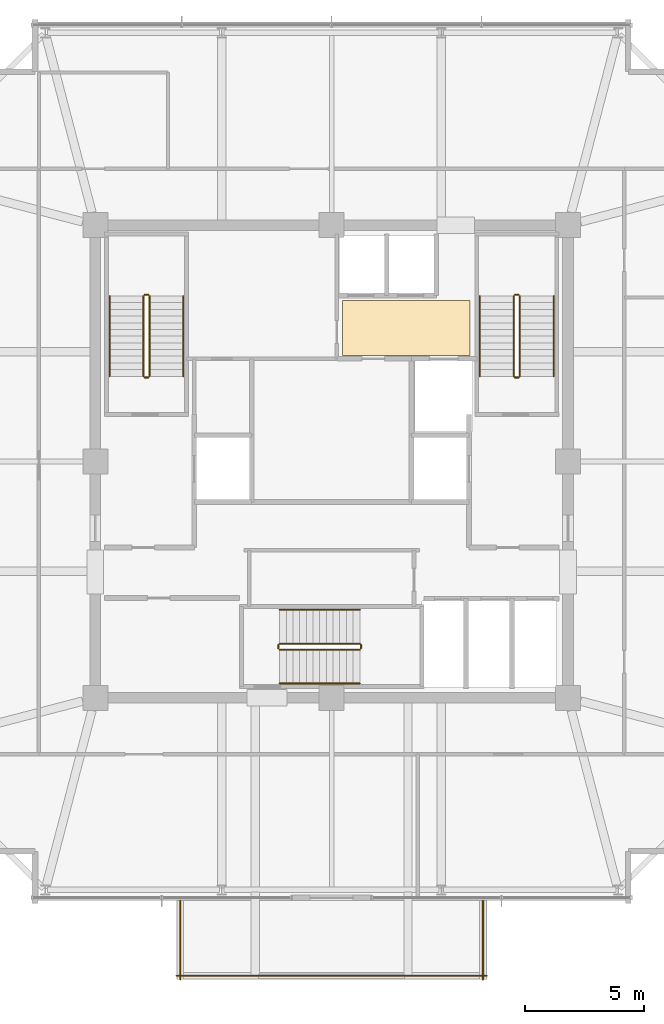
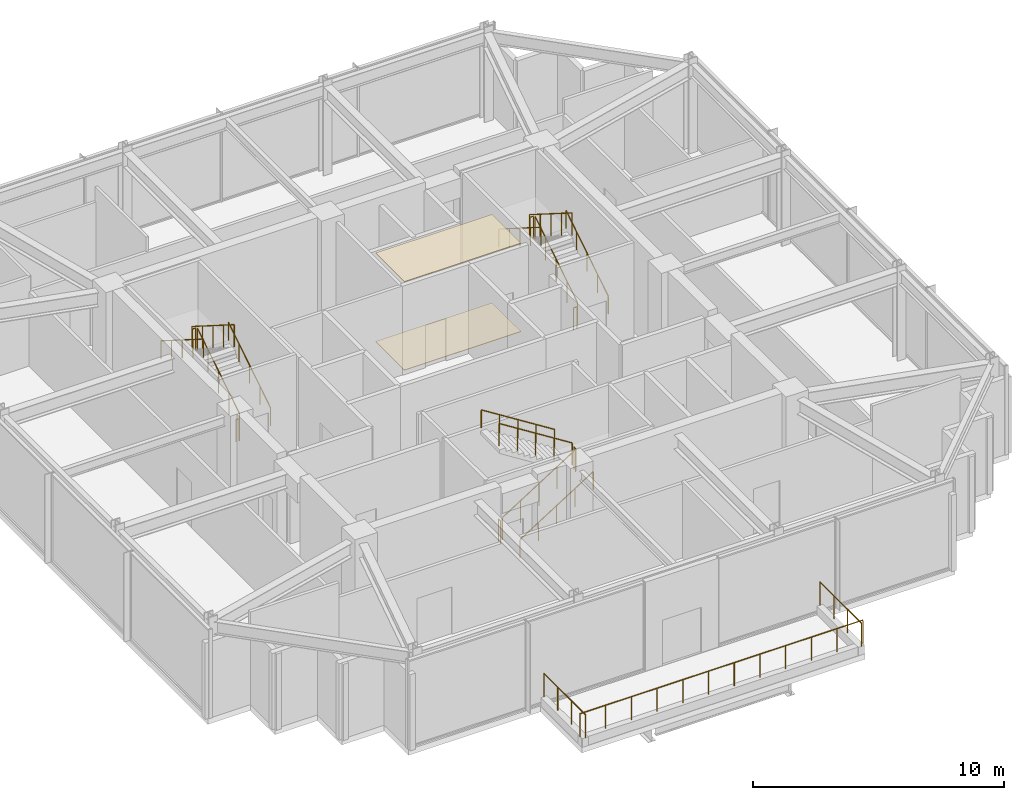
# One storey, part 30 of 30: 21 railings, 2 coverings.
"""IFC4 building model written with IfcOpenShell, lengths in metres."""

import ifcopenshell
import ifcopenshell.guid

model = None  # the IFC model being written
_history = None  # IfcOwnerHistory: only IFC2X3 demands one
_inside = {}  # id of a spatial element -> (the spatial element, [elements in it])
_under = {}  # id of a project, library or spatial element -> (it, [spatial elements below it])
_declared = {}  # id of a project -> (the project, [libraries it declares])
_typed = {}  # id of a type object -> (the type object, [elements of that type])
_made_of = {}  # id of a material, layer set ... -> (it, [elements and type objects made of it])


def new_model(schema):
    """Start an empty IFC model of exactly this schema.

    Asked for "IFC4X3", IfcOpenShell would pick the latest addendum, in which some entities
    have other attributes; the version numbers below select the first issue.
    IFC2X3 requires an IfcOwnerHistory on every rooted entity: one is made here for all.
    """
    global model, _history
    if schema == "IFC4X3":
        model = ifcopenshell.file(schema_version=(4, 3, 0, 0))
    else:
        model = ifcopenshell.file(schema=schema)
    _inside.clear()
    _under.clear()
    _declared.clear()
    _typed.clear()
    _made_of.clear()
    _history = None
    if model.schema == "IFC2X3":
        org = make("IfcOrganization", Name="unknown")
        user = make(
            "IfcPersonAndOrganization",
            ThePerson=make("IfcPerson", FamilyName="unknown"),
            TheOrganization=org,
        )
        app = make(
            "IfcApplication",
            ApplicationDeveloper=org,
            Version="unknown",
            ApplicationFullName="unknown",
            ApplicationIdentifier="unknown",
        )
        _history = make(
            "IfcOwnerHistory",
            OwningUser=user,
            OwningApplication=app,
            ChangeAction="ADDED",
            CreationDate=0,
        )
    return model


def make(cls, **values):
    """One entity of the class cls with the attributes given. An attribute that is None is left unset."""
    return model.create_entity(
        cls, **{name: value for name, value in values.items() if value is not None}
    )


def rooted(cls, **values):
    """An entity with a GlobalId (a new one), such as an element, a storey or a relation."""
    return make(cls, GlobalId=ifcopenshell.guid.new(), OwnerHistory=_history, **values)


def si_unit(unit_type, name, prefix=None):
    """IfcSIUnit, for example si_unit("LENGTHUNIT", "METRE", prefix="MILLI")."""
    return make("IfcSIUnit", UnitType=unit_type, Prefix=prefix, Name=name)


def assignment(units):
    """IfcUnitAssignment: the units of a project."""
    return None if units is None else make("IfcUnitAssignment", Units=units)


def point(xyz):
    """IfcCartesianPoint."""
    return None if xyz is None else make("IfcCartesianPoint", Coordinates=xyz)


def direction(xyz):
    """IfcDirection."""
    return None if xyz is None else make("IfcDirection", DirectionRatios=xyz)


def frame(location, z_axis=None, x_axis=None):
    """IfcAxis2Placement3D, a coordinate frame: its origin and axes. An axis left out is left unset."""
    return make(
        "IfcAxis2Placement3D",
        Location=point(location),
        Axis=direction(z_axis),
        RefDirection=direction(x_axis),
    )


def frame_2d(location, x_axis=None):
    """IfcAxis2Placement2D, a coordinate frame in the plane: its origin and x axis."""
    return make(
        "IfcAxis2Placement2D", Location=point(location), RefDirection=direction(x_axis)
    )


def origin():
    """The frame at (0, 0, 0) with its axes left unset."""
    return frame((0.0, 0.0, 0.0))


def origin_2d():
    """The frame at (0, 0) in the plane with its x axis left unset."""
    return frame_2d((0.0, 0.0))


def place(relative_to, where):
    """IfcLocalPlacement: puts the frame where relative to a parent placement (None: the world)."""
    return make(
        "IfcLocalPlacement", PlacementRelTo=relative_to, RelativePlacement=where
    )


def context(
    kind, dimensions, precision=None, world=None, true_north=None, identifier=None
):
    """IfcGeometricRepresentationContext, for example the 3D "Model" context."""
    return make(
        "IfcGeometricRepresentationContext",
        ContextIdentifier=identifier,
        ContextType=kind,
        CoordinateSpaceDimension=dimensions,
        Precision=precision,
        WorldCoordinateSystem=world,
        TrueNorth=true_north,
    )


def subcontext(parent, identifier, kind, view, scale=None):
    """IfcGeometricRepresentationSubContext, for example "Body" below "Model"."""
    return make(
        "IfcGeometricRepresentationSubContext",
        ContextIdentifier=identifier,
        ContextType=kind,
        ParentContext=parent,
        TargetScale=scale,
        TargetView=view,
    )


def project(units=None, contexts=None):
    """IfcProject with its units and contexts."""
    return rooted(
        "IfcProject",
        Name="project",
        RepresentationContexts=contexts,
        UnitsInContext=assignment(units),
    )


def spatial(cls, under=None, at=None, **own):
    """A site, building, storey or space (cls), placed at a placement, below another one or the project."""
    s = rooted(cls, ObjectPlacement=at, **own)
    if under is not None:
        _under.setdefault(under.id(), (under, []))[1].append(s)
    return s


def polyline(points):
    """IfcPolyline through the points."""
    return make("IfcPolyline", Points=[point(p) for p in points])


def profile(cls, at=None, kind="AREA", **sizes):
    """A parametric profile (cls). Its sizes go by their IFC names, for example OverallWidth=200.0."""
    return make(cls, ProfileType=kind, Position=at, **sizes)


def circle(**sizes):
    """IfcCircleProfileDef."""
    return profile("IfcCircleProfileDef", **sizes)


def outline(outer, holes=None, kind="AREA"):
    """IfcArbitraryClosedProfileDef: a profile drawn as a closed curve; with holes, ...WithVoids."""
    if holes is None:
        return make("IfcArbitraryClosedProfileDef", ProfileType=kind, OuterCurve=outer)
    return make(
        "IfcArbitraryProfileDefWithVoids",
        ProfileType=kind,
        OuterCurve=outer,
        InnerCurves=holes,
    )


def extrude(swept, where, along, depth):
    """IfcExtrudedAreaSolid: the profile swept, set in the frame where, extruded along a direction by depth."""
    return make(
        "IfcExtrudedAreaSolid",
        SweptArea=swept,
        Position=where,
        ExtrudedDirection=direction(along),
        Depth=depth,
    )


def shape(context_of_items, identifier, shape_type, items):
    """IfcShapeRepresentation: the items that make up one representation, for example the "Body"."""
    return make(
        "IfcShapeRepresentation",
        ContextOfItems=context_of_items,
        RepresentationIdentifier=identifier,
        RepresentationType=shape_type,
        Items=items,
    )


def material(Name=None, Category=None):
    """IfcMaterial."""
    return make("IfcMaterial", Name=Name, Category=Category)


def layer(
    of_material, thickness, ventilated=None, Name=None, Category=None, Priority=None
):
    """IfcMaterialLayer: one layer of a wall or slab, of a material (None: an air gap)."""
    return make(
        "IfcMaterialLayer",
        Material=of_material,
        LayerThickness=thickness,
        IsVentilated=ventilated,
        Name=Name,
        Category=Category,
        Priority=Priority,
    )


def layer_set(layers, Name=None):
    """IfcMaterialLayerSet."""
    return make("IfcMaterialLayerSet", MaterialLayers=layers, LayerSetName=Name)


def made_of(thing, what):
    """Note that an element or type object is made of a material, layer set ...; save() writes the relation."""
    if what is not None:
        _made_of.setdefault(what.id(), (what, []))[1].append(thing)
    return thing


def type_object(cls, material=None, **own):
    """A type object (cls), such as IfcWallType, which elements share."""
    return made_of(rooted(cls, **own), material)


def element(
    cls,
    number,
    at=None,
    inside=None,
    cuts=None,
    type_object=None,
    material=None,
    context=None,
    identifier="Body",
    shape_type=None,
    held_by="IfcProductDefinitionShape",
    body=None,
    shapes=None,
    **own,
):
    """One element of the class cls, such as IfcWall. Its Tag is "e" and its number.

    at: its placement. inside: the storey or other place that contains it. cuts: it is an
    opening in that element (IfcRelVoidsElement). A single representation is given by context,
    identifier, shape_type and body (its items); several are given by shapes. held_by: the class
    of the entity that holds the representations. save() writes the other relations.
    """
    e = rooted(cls, Tag="e%d" % number, ObjectPlacement=at, **own)
    if body is not None:
        shapes = [shape(context, identifier, shape_type, body)]
    if shapes is not None:
        e.Representation = make(held_by, Representations=shapes)
    if inside is not None:
        _inside.setdefault(inside.id(), (inside, []))[1].append(e)
    if cuts is not None:
        rooted(
            "IfcRelVoidsElement", RelatingBuildingElement=cuts, RelatedOpeningElement=e
        )
    if type_object is not None:
        _typed.setdefault(type_object.id(), (type_object, []))[1].append(e)
    return made_of(e, material)


def aggregate(whole, parts):
    """IfcRelAggregates: a whole, such as a stair, and the parts it consists of."""
    return rooted("IfcRelAggregates", RelatingObject=whole, RelatedObjects=parts)


def save(model, path):
    """Write the relations noted so far, then the file.

    IfcRelAggregates (storeys below a building ...), IfcRelContainedInSpatialStructure (elements
    in a storey), IfcRelDefinesByType, IfcRelAssociatesMaterial and IfcRelDeclares: one each for
    every whole, place, type object, material and project.
    """
    for whole, parts in _under.values():
        aggregate(whole, parts)
    for where, things in _inside.values():
        rooted(
            "IfcRelContainedInSpatialStructure",
            RelatedElements=things,
            RelatingStructure=where,
        )
    for kind, things in _typed.values():
        rooted("IfcRelDefinesByType", RelatedObjects=things, RelatingType=kind)
    for what, things in _made_of.values():
        rooted("IfcRelAssociatesMaterial", RelatedObjects=things, RelatingMaterial=what)
    for by, libraries in _declared.values():
        rooted("IfcRelDeclares", RelatingContext=by, RelatedDefinitions=libraries)
    model.write(path)


model = new_model("IFC4")

# Units and contexts
model_context = context("Model", 3, precision=1e-05, world=origin(), true_north=direction((0.0, 1.0)))
body_context = subcontext(model_context, "Body", "Model", "MODEL_VIEW")
ifc_project = project(units=[si_unit("LENGTHUNIT", "METRE"), si_unit("AREAUNIT", "SQUARE_METRE"), si_unit("VOLUMEUNIT", "CUBIC_METRE"), si_unit("PLANEANGLEUNIT", "RADIAN"), si_unit("MASSUNIT", "GRAM", prefix="KILO")], contexts=[model_context])

# Site, building, storey
site_placement = place(None, origin())
site = spatial("IfcSite", under=ifc_project, at=site_placement, CompositionType="ELEMENT")
building_placement = place(site_placement, origin())
building = spatial("IfcBuilding", under=site, at=building_placement, Name="Kolvaren Belvedere", CompositionType="ELEMENT")
storey_placement = place(building_placement, frame((0.0, 0.0, 262.800048828125)))
storey = spatial("IfcBuildingStorey", under=building, at=storey_placement, Name="L76", CompositionType="ELEMENT", Elevation=262.800048828125)

# Coverings
ifc_material_1 = material(Name="Acoustic perforated gypsum board", Category="gypsum")
ifc_layer_1 = layer(ifc_material_1, 0.02490234375)
ifc_layer_set_1 = layer_set([ifc_layer_1], Name="Acoustic perforated gypsum board")
covering_type_1 = type_object("IfcCoveringType", Name="COV-CEIL-GYP", PredefinedType="CEILING", material=ifc_layer_set_1)
covering_1_placement = place(storey_placement, frame((0.0, 0.0, 4.294921875)))
element("IfcCovering", 1, at=covering_1_placement, inside=storey, type_object=covering_type_1, Name="L76 Lift Lobby Acoustic Baffle Ceiling", PredefinedType="CEILING", context=body_context, shape_type="SweptSolid", body=[
    extrude(outline(polyline([(0.449951171875, 4.449951171875), (5.800048828125, 4.449951171875), (5.800048828125, 6.75), (0.449951171875, 6.75), (0.449951171875, 4.449951171875)])), origin(), (0.0, 0.0, 1.0), 0.025146484375),
])
ifc_material_2 = material(Name="Honed Cascade basalt stone", Category="masonry")
ifc_layer_2 = layer(ifc_material_2, 0.02490234375)
ifc_layer_set_2 = layer_set([ifc_layer_2], Name="Honed Cascade basalt stone")
covering_type_2 = type_object("IfcCoveringType", Name="COV-FLR-STONE", PredefinedType="FLOORING", material=ifc_layer_set_2)
covering_2_placement = place(storey_placement, origin())
element("IfcCovering", 2, at=covering_2_placement, inside=storey, type_object=covering_type_2, Name="L76 Lift Lobby Finish Flooring", PredefinedType="FLOORING", context=body_context, shape_type="SweptSolid", body=[
    extrude(outline(polyline([(0.449951171875, 4.449951171875), (5.800048828125, 4.449951171875), (5.800048828125, 6.75), (0.449951171875, 6.75), (0.449951171875, 4.449951171875)])), origin(), (0.0, 0.0, 1.0), 0.02490234375),
])

# Railings
ifc_material_3 = material(Name="Anodised pale-metal aluminium & laminated glass guard", Category="aluminium")
railing_type_1 = type_object("IfcRailingType", Name="RL-GUARD-1150", PredefinedType="GUARDRAIL", material=ifc_material_3)
railing_1_placement = place(storey_placement, frame((-6.5, -21.5400390625, 0.39990234375)))
element("IfcRailing", 3, at=railing_1_placement, inside=storey, type_object=railing_type_1, Name="L76 Exterior Deck Safety Guard SKYBAR-S-1", PredefinedType="GUARDRAIL", context=body_context, shape_type="SweptSolid", body=[
    extrude(circle(Radius=0.02392578125, at=origin_2d()), frame((0.0, 0.0, 1.1259765625), z_axis=(1.0, 0.0, 0.0), x_axis=(0.0, 1.0, 0.0)), (0.0, 0.0, 1.0), 13.0),
    extrude(circle(Radius=0.02099609375, at=origin_2d()), origin(), (0.0, 0.0, 1.0), 1.101806640625),
    extrude(circle(Radius=0.02099609375, at=origin_2d()), frame((1.181884765625, 0.0, 0.0)), (0.0, 0.0, 1.0), 1.101806640625),
    extrude(circle(Radius=0.02099609375, at=origin_2d()), frame((2.363525390625, 0.0, 0.0)), (0.0, 0.0, 1.0), 1.101806640625),
    extrude(circle(Radius=0.02099609375, at=origin_2d()), frame((3.54541015625, 0.0, 0.0)), (0.0, 0.0, 1.0), 1.101806640625),
    extrude(circle(Radius=0.02099609375, at=origin_2d()), frame((4.727294921875, 0.0, 0.0)), (0.0, 0.0, 1.0), 1.101806640625),
    extrude(circle(Radius=0.02099609375, at=origin_2d()), frame((5.9091796875, 0.0, 0.0)), (0.0, 0.0, 1.0), 1.101806640625),
    extrude(circle(Radius=0.02099609375, at=origin_2d()), frame((7.0908203125, 0.0, 0.0)), (0.0, 0.0, 1.0), 1.101806640625),
    extrude(circle(Radius=0.02099609375, at=origin_2d()), frame((8.272705078125, 0.0, 0.0)), (0.0, 0.0, 1.0), 1.101806640625),
    extrude(circle(Radius=0.02099609375, at=origin_2d()), frame((9.45458984375, 0.0, 0.0)), (0.0, 0.0, 1.0), 1.101806640625),
    extrude(circle(Radius=0.02099609375, at=origin_2d()), frame((10.636474609375, 0.0, 0.0)), (0.0, 0.0, 1.0), 1.101806640625),
    extrude(circle(Radius=0.02099609375, at=origin_2d()), frame((11.818115234375, 0.0, 0.0)), (0.0, 0.0, 1.0), 1.101806640625),
    extrude(circle(Radius=0.02099609375, at=origin_2d()), frame((13.0, 0.0, 0.0)), (0.0, 0.0, 1.0), 1.101806640625),
])
railing_2_placement = place(storey_placement, frame((6.340087890625, -21.699951171875, 0.39990234375)))
element("IfcRailing", 4, at=railing_2_placement, inside=storey, type_object=railing_type_1, Name="L76 Exterior Deck Safety Guard SKYBAR-S-2", PredefinedType="GUARDRAIL", context=body_context, shape_type="SweptSolid", body=[
    extrude(circle(Radius=0.02392578125, at=origin_2d()), frame((0.0, 0.0, 1.1259765625), z_axis=(0.0, 1.0, 0.0), x_axis=(-1.0, 0.0, 0.0)), (0.0, 0.0, 1.0), 3.300048828125),
    extrude(circle(Radius=0.02099609375, at=origin_2d()), origin(), (0.0, 0.0, 1.0), 1.101806640625),
    extrude(circle(Radius=0.02099609375, at=origin_2d()), frame((0.0, 1.10009765625, 0.0)), (0.0, 0.0, 1.0), 1.101806640625),
    extrude(circle(Radius=0.02099609375, at=origin_2d()), frame((0.0, 2.199951171875, 0.0)), (0.0, 0.0, 1.0), 1.101806640625),
    extrude(circle(Radius=0.02099609375, at=origin_2d()), frame((0.0, 3.300048828125, 0.0)), (0.0, 0.0, 1.0), 1.101806640625),
])
railing_3_placement = place(storey_placement, frame((-6.340087890625, -18.39990234375, 0.39990234375)))
element("IfcRailing", 5, at=railing_3_placement, inside=storey, type_object=railing_type_1, Name="L76 Exterior Deck Safety Guard SKYBAR-S-4", PredefinedType="GUARDRAIL", context=body_context, shape_type="SweptSolid", body=[
    extrude(circle(Radius=0.02392578125, at=origin_2d()), frame((0.0, 0.0, 1.1259765625), z_axis=(0.0, -1.0, 0.0), x_axis=(1.0, 0.0, 0.0)), (0.0, 0.0, 1.0), 3.300048828125),
    extrude(circle(Radius=0.02099609375, at=origin_2d()), origin(), (0.0, 0.0, 1.0), 1.101806640625),
    extrude(circle(Radius=0.02099609375, at=origin_2d()), frame((0.0, -1.10009765625, 0.0)), (0.0, 0.0, 1.0), 1.101806640625),
    extrude(circle(Radius=0.02099609375, at=origin_2d()), frame((0.0, -2.199951171875, 0.0)), (0.0, 0.0, 1.0), 1.101806640625),
    extrude(circle(Radius=0.02099609375, at=origin_2d()), frame((0.0, -3.300048828125, 0.0)), (0.0, 0.0, 1.0), 1.101806640625),
])
ifc_material_4 = material(Name="Brushed stainless-steel handrail", Category="steel")
railing_type_2 = type_object("IfcRailingType", Name="RL-HANDRAIL-920", PredefinedType="HANDRAIL", material=ifc_material_4)
railing_4_placement = place(storey_placement, frame((-6.2099609375, 3.570068359375, 0.1767578125)))
element("IfcRailing", 6, at=railing_4_placement, inside=storey, type_object=railing_type_2, Name="L76 ST-1 stair handrail 1", PredefinedType="HANDRAIL", context=body_context, shape_type="SweptSolid", body=[
    extrude(circle(Radius=0.02392578125, at=origin_2d()), frame((0.0, 0.0, 0.8759765625), z_axis=(0.0, 0.845344368971, 0.534221768416), x_axis=(-1.0, 0.0, 0.0)), (0.0, 0.0, 1.0), 3.974609375),
    extrude(circle(Radius=0.02099609375, at=origin_2d()), origin(), (0.0, 0.0, 1.0), 0.851806640625),
    extrude(circle(Radius=0.02099609375, at=origin_2d()), frame((0.0, 0.83984375, 0.53076171875)), (0.0, 0.0, 1.0), 0.851806640625),
    extrude(circle(Radius=0.02099609375, at=origin_2d()), frame((0.0, 1.679931640625, 1.0615234375)), (0.0, 0.0, 1.0), 0.851806640625),
    extrude(circle(Radius=0.02099609375, at=origin_2d()), frame((0.0, 2.52001953125, 1.592529296875)), (0.0, 0.0, 1.0), 0.851806640625),
    extrude(circle(Radius=0.02099609375, at=origin_2d()), frame((0.0, 3.35986328125, 2.123291015625)), (0.0, 0.0, 1.0), 0.851806640625),
])
railing_5_placement = place(storey_placement, frame((-9.300048828125, 6.929931640625, 2.476806640625)))
element("IfcRailing", 7, at=railing_5_placement, inside=storey, type_object=railing_type_2, Name="L76 ST-1 stair handrail 2", PredefinedType="HANDRAIL", context=body_context, shape_type="SweptSolid", body=[
    extrude(circle(Radius=0.02392578125, at=origin_2d()), frame((0.0, 0.0, 0.8759765625), z_axis=(0.0, -0.845372108799, 0.534177870812), x_axis=(1.0, 0.0, 0.0)), (0.0, 0.0, 1.0), 3.974365234375),
    extrude(circle(Radius=0.02099609375, at=origin_2d()), origin(), (0.0, 0.0, 1.0), 0.851806640625),
    extrude(circle(Radius=0.02099609375, at=origin_2d()), frame((0.0, -0.83984375, 0.53076171875)), (0.0, 0.0, 1.0), 0.851806640625),
    extrude(circle(Radius=0.02099609375, at=origin_2d()), frame((0.0, -1.679931640625, 1.0615234375)), (0.0, 0.0, 1.0), 0.851806640625),
    extrude(circle(Radius=0.02099609375, at=origin_2d()), frame((0.0, -2.52001953125, 1.59228515625)), (0.0, 0.0, 1.0), 0.851806640625),
    extrude(circle(Radius=0.02099609375, at=origin_2d()), frame((0.0, -3.35986328125, 2.123046875)), (0.0, 0.0, 1.0), 0.851806640625),
])
railing_6_placement = place(storey_placement, frame((9.300048828125, 3.570068359375, 0.1767578125)))
element("IfcRailing", 8, at=railing_6_placement, inside=storey, type_object=railing_type_2, Name="L76 ST-2 stair handrail 1", PredefinedType="HANDRAIL", context=body_context, shape_type="SweptSolid", body=[
    extrude(circle(Radius=0.02392578125, at=origin_2d()), frame((0.0, 0.0, 0.8759765625), z_axis=(0.0, 0.845344368971, 0.534221768416), x_axis=(-1.0, 0.0, 0.0)), (0.0, 0.0, 1.0), 3.974609375),
    extrude(circle(Radius=0.02099609375, at=origin_2d()), origin(), (0.0, 0.0, 1.0), 0.851806640625),
    extrude(circle(Radius=0.02099609375, at=origin_2d()), frame((0.0, 0.83984375, 0.53076171875)), (0.0, 0.0, 1.0), 0.851806640625),
    extrude(circle(Radius=0.02099609375, at=origin_2d()), frame((0.0, 1.679931640625, 1.0615234375)), (0.0, 0.0, 1.0), 0.851806640625),
    extrude(circle(Radius=0.02099609375, at=origin_2d()), frame((0.0, 2.52001953125, 1.592529296875)), (0.0, 0.0, 1.0), 0.851806640625),
    extrude(circle(Radius=0.02099609375, at=origin_2d()), frame((0.0, 3.35986328125, 2.123291015625)), (0.0, 0.0, 1.0), 0.851806640625),
])
railing_7_placement = place(storey_placement, frame((6.2099609375, 6.929931640625, 2.476806640625)))
element("IfcRailing", 9, at=railing_7_placement, inside=storey, type_object=railing_type_2, Name="L76 ST-2 stair handrail 2", PredefinedType="HANDRAIL", context=body_context, shape_type="SweptSolid", body=[
    extrude(circle(Radius=0.02392578125, at=origin_2d()), frame((0.0, 0.0, 0.8759765625), z_axis=(0.0, -0.845372108799, 0.534177870812), x_axis=(1.0, 0.0, 0.0)), (0.0, 0.0, 1.0), 3.974365234375),
    extrude(circle(Radius=0.02099609375, at=origin_2d()), origin(), (0.0, 0.0, 1.0), 0.851806640625),
    extrude(circle(Radius=0.02099609375, at=origin_2d()), frame((0.0, -0.83984375, 0.53076171875)), (0.0, 0.0, 1.0), 0.851806640625),
    extrude(circle(Radius=0.02099609375, at=origin_2d()), frame((0.0, -1.679931640625, 1.0615234375)), (0.0, 0.0, 1.0), 0.851806640625),
    extrude(circle(Radius=0.02099609375, at=origin_2d()), frame((0.0, -2.52001953125, 1.59228515625)), (0.0, 0.0, 1.0), 0.851806640625),
    extrude(circle(Radius=0.02099609375, at=origin_2d()), frame((0.0, -3.35986328125, 2.123046875)), (0.0, 0.0, 1.0), 0.851806640625),
])
railing_8_placement = place(storey_placement, frame((-2.179931640625, -9.300048828125, 0.1767578125)))
element("IfcRailing", 10, at=railing_8_placement, inside=storey, type_object=railing_type_2, Name="L76 ST-3 stair handrail 1", PredefinedType="HANDRAIL", context=body_context, shape_type="SweptSolid", body=[
    extrude(circle(Radius=0.02392578125, at=origin_2d()), frame((0.0, 0.0, 0.8759765625), z_axis=(0.845344368971, 0.0, 0.534221768416), x_axis=(0.0, 1.0, 0.0)), (0.0, 0.0, 1.0), 3.974609375),
    extrude(circle(Radius=0.02099609375, at=origin_2d()), origin(), (0.0, 0.0, 1.0), 0.851806640625),
    extrude(circle(Radius=0.02099609375, at=origin_2d()), frame((0.83984375, 0.0, 0.53076171875)), (0.0, 0.0, 1.0), 0.851806640625),
    extrude(circle(Radius=0.02099609375, at=origin_2d()), frame((1.679931640625, 0.0, 1.0615234375)), (0.0, 0.0, 1.0), 0.851806640625),
    extrude(circle(Radius=0.02099609375, at=origin_2d()), frame((2.52001953125, 0.0, 1.592529296875)), (0.0, 0.0, 1.0), 0.851806640625),
    extrude(circle(Radius=0.02099609375, at=origin_2d()), frame((3.35986328125, 0.0, 2.123291015625)), (0.0, 0.0, 1.0), 0.851806640625),
])
railing_9_placement = place(storey_placement, frame((1.179931640625, -6.2099609375, 2.476806640625)))
element("IfcRailing", 11, at=railing_9_placement, inside=storey, type_object=railing_type_2, Name="L76 ST-3 stair handrail 2", PredefinedType="HANDRAIL", context=body_context, shape_type="SweptSolid", body=[
    extrude(circle(Radius=0.02392578125, at=origin_2d()), frame((0.0, 0.0, 0.8759765625), z_axis=(-0.845372108799, 0.0, 0.534177870812), x_axis=(0.0, -1.0, 0.0)), (0.0, 0.0, 1.0), 3.974365234375),
    extrude(circle(Radius=0.02099609375, at=origin_2d()), origin(), (0.0, 0.0, 1.0), 0.851806640625),
    extrude(circle(Radius=0.02099609375, at=origin_2d()), frame((-0.83984375, 0.0, 0.53076171875)), (0.0, 0.0, 1.0), 0.851806640625),
    extrude(circle(Radius=0.02099609375, at=origin_2d()), frame((-1.679931640625, 0.0, 1.0615234375)), (0.0, 0.0, 1.0), 0.851806640625),
    extrude(circle(Radius=0.02099609375, at=origin_2d()), frame((-2.52001953125, 0.0, 1.59228515625)), (0.0, 0.0, 1.0), 0.851806640625),
    extrude(circle(Radius=0.02099609375, at=origin_2d()), frame((-3.35986328125, 0.0, 2.123046875)), (0.0, 0.0, 1.0), 0.851806640625),
])
ifc_material_5 = material(Name="Painted tubular steel stair guard", Category="steel")
railing_type_3 = type_object("IfcRailingType", Name="RL-STGUARD-1100", PredefinedType="GUARDRAIL", material=ifc_material_5)
railing_10_placement = place(storey_placement, frame((-7.6298828125, 3.570068359375, 0.1767578125)))
element("IfcRailing", 12, at=railing_10_placement, inside=storey, type_object=railing_type_3, Name="L76 ST-1 stair guard 1", PredefinedType="GUARDRAIL", context=body_context, shape_type="SweptSolid", body=[
    extrude(circle(Radius=0.02392578125, at=origin_2d()), frame((0.0, 0.0, 1.076171875), z_axis=(0.0, 0.845344368971, 0.534221768416), x_axis=(-1.0, 0.0, 0.0)), (0.0, 0.0, 1.0), 3.974609375),
    extrude(circle(Radius=0.02099609375, at=origin_2d()), origin(), (0.0, 0.0, 1.0), 1.052001953125),
    extrude(circle(Radius=0.02099609375, at=origin_2d()), frame((0.0, 0.83984375, 0.53076171875)), (0.0, 0.0, 1.0), 1.052001953125),
    extrude(circle(Radius=0.02099609375, at=origin_2d()), frame((0.0, 1.679931640625, 1.0615234375)), (0.0, 0.0, 1.0), 1.052001953125),
    extrude(circle(Radius=0.02099609375, at=origin_2d()), frame((0.0, 2.52001953125, 1.592529296875)), (0.0, 0.0, 1.0), 1.052001953125),
    extrude(circle(Radius=0.02099609375, at=origin_2d()), frame((0.0, 3.35986328125, 2.123291015625)), (0.0, 0.0, 1.0), 1.052001953125),
])
railing_11_placement = place(storey_placement, frame((-7.679931640625, 6.97998046875, 2.300048828125)))
element("IfcRailing", 13, at=railing_11_placement, inside=storey, type_object=railing_type_3, Name="L76 ST-1 stair guard 2", PredefinedType="GUARDRAIL", context=body_context, shape_type="SweptSolid", body=[
    extrude(circle(Radius=0.02392578125, at=origin_2d()), frame((0.0, 0.0, 1.076171875), z_axis=(-1.0, 0.0, 0.0), x_axis=(0.0, -1.0, 0.0)), (0.0, 0.0, 1.0), 0.150146484375),
    extrude(circle(Radius=0.02099609375, at=origin_2d()), origin(), (0.0, 0.0, 1.0), 1.052001953125),
    extrude(circle(Radius=0.02099609375, at=origin_2d()), frame((-0.150146484375, 0.0, 0.0)), (0.0, 0.0, 1.0), 1.052001953125),
])
railing_12_placement = place(storey_placement, frame((-7.8798828125, 6.929931640625, 2.476806640625)))
element("IfcRailing", 14, at=railing_12_placement, inside=storey, type_object=railing_type_3, Name="L76 ST-1 stair guard 3", PredefinedType="GUARDRAIL", context=body_context, shape_type="SweptSolid", body=[
    extrude(circle(Radius=0.02392578125, at=origin_2d()), frame((0.0, 0.0, 1.076171875), z_axis=(0.0, -0.845372108799, 0.534177870812), x_axis=(1.0, 0.0, 0.0)), (0.0, 0.0, 1.0), 3.974365234375),
    extrude(circle(Radius=0.02099609375, at=origin_2d()), origin(), (0.0, 0.0, 1.0), 1.052001953125),
    extrude(circle(Radius=0.02099609375, at=origin_2d()), frame((0.0, -0.83984375, 0.53076171875)), (0.0, 0.0, 1.0), 1.052001953125),
    extrude(circle(Radius=0.02099609375, at=origin_2d()), frame((0.0, -1.679931640625, 1.0615234375)), (0.0, 0.0, 1.0), 1.052001953125),
    extrude(circle(Radius=0.02099609375, at=origin_2d()), frame((0.0, -2.52001953125, 1.59228515625)), (0.0, 0.0, 1.0), 1.052001953125),
    extrude(circle(Radius=0.02099609375, at=origin_2d()), frame((0.0, -3.35986328125, 2.123046875)), (0.0, 0.0, 1.0), 1.052001953125),
])
railing_13_placement = place(storey_placement, frame((-7.679931640625, 3.52001953125, 0.0)))
element("IfcRailing", 15, at=railing_13_placement, inside=storey, type_object=railing_type_3, Name="L76 ST-1 stair guard 4", PredefinedType="GUARDRAIL", context=body_context, shape_type="SweptSolid", body=[
    extrude(circle(Radius=0.02392578125, at=origin_2d()), frame((0.0, 0.0, 1.076171875), z_axis=(-1.0, 0.0, 0.0), x_axis=(0.0, -1.0, 0.0)), (0.0, 0.0, 1.0), 0.150146484375),
    extrude(circle(Radius=0.02099609375, at=origin_2d()), origin(), (0.0, 0.0, 1.0), 1.052001953125),
    extrude(circle(Radius=0.02099609375, at=origin_2d()), frame((-0.150146484375, 0.0, 0.0)), (0.0, 0.0, 1.0), 1.052001953125),
])
railing_14_placement = place(storey_placement, frame((7.8798828125, 3.570068359375, 0.1767578125)))
element("IfcRailing", 16, at=railing_14_placement, inside=storey, type_object=railing_type_3, Name="L76 ST-2 stair guard 1", PredefinedType="GUARDRAIL", context=body_context, shape_type="SweptSolid", body=[
    extrude(circle(Radius=0.02392578125, at=origin_2d()), frame((0.0, 0.0, 1.076171875), z_axis=(0.0, 0.845344368971, 0.534221768416), x_axis=(-1.0, 0.0, 0.0)), (0.0, 0.0, 1.0), 3.974609375),
    extrude(circle(Radius=0.02099609375, at=origin_2d()), origin(), (0.0, 0.0, 1.0), 1.052001953125),
    extrude(circle(Radius=0.02099609375, at=origin_2d()), frame((0.0, 0.83984375, 0.53076171875)), (0.0, 0.0, 1.0), 1.052001953125),
    extrude(circle(Radius=0.02099609375, at=origin_2d()), frame((0.0, 1.679931640625, 1.0615234375)), (0.0, 0.0, 1.0), 1.052001953125),
    extrude(circle(Radius=0.02099609375, at=origin_2d()), frame((0.0, 2.52001953125, 1.592529296875)), (0.0, 0.0, 1.0), 1.052001953125),
    extrude(circle(Radius=0.02099609375, at=origin_2d()), frame((0.0, 3.35986328125, 2.123291015625)), (0.0, 0.0, 1.0), 1.052001953125),
])
railing_15_placement = place(storey_placement, frame((7.830078125, 6.97998046875, 2.300048828125)))
element("IfcRailing", 17, at=railing_15_placement, inside=storey, type_object=railing_type_3, Name="L76 ST-2 stair guard 2", PredefinedType="GUARDRAIL", context=body_context, shape_type="SweptSolid", body=[
    extrude(circle(Radius=0.02392578125, at=origin_2d()), frame((0.0, 0.0, 1.076171875), z_axis=(-1.0, 0.0, 0.0), x_axis=(0.0, -1.0, 0.0)), (0.0, 0.0, 1.0), 0.150146484375),
    extrude(circle(Radius=0.02099609375, at=origin_2d()), origin(), (0.0, 0.0, 1.0), 1.052001953125),
    extrude(circle(Radius=0.02099609375, at=origin_2d()), frame((-0.150146484375, 0.0, 0.0)), (0.0, 0.0, 1.0), 1.052001953125),
])
railing_16_placement = place(storey_placement, frame((7.6298828125, 6.929931640625, 2.476806640625)))
element("IfcRailing", 18, at=railing_16_placement, inside=storey, type_object=railing_type_3, Name="L76 ST-2 stair guard 3", PredefinedType="GUARDRAIL", context=body_context, shape_type="SweptSolid", body=[
    extrude(circle(Radius=0.02392578125, at=origin_2d()), frame((0.0, 0.0, 1.076171875), z_axis=(0.0, -0.845372108799, 0.534177870812), x_axis=(1.0, 0.0, 0.0)), (0.0, 0.0, 1.0), 3.974365234375),
    extrude(circle(Radius=0.02099609375, at=origin_2d()), origin(), (0.0, 0.0, 1.0), 1.052001953125),
    extrude(circle(Radius=0.02099609375, at=origin_2d()), frame((0.0, -0.83984375, 0.53076171875)), (0.0, 0.0, 1.0), 1.052001953125),
    extrude(circle(Radius=0.02099609375, at=origin_2d()), frame((0.0, -1.679931640625, 1.0615234375)), (0.0, 0.0, 1.0), 1.052001953125),
    extrude(circle(Radius=0.02099609375, at=origin_2d()), frame((0.0, -2.52001953125, 1.59228515625)), (0.0, 0.0, 1.0), 1.052001953125),
    extrude(circle(Radius=0.02099609375, at=origin_2d()), frame((0.0, -3.35986328125, 2.123046875)), (0.0, 0.0, 1.0), 1.052001953125),
])
railing_17_placement = place(storey_placement, frame((7.830078125, 3.52001953125, 0.0)))
element("IfcRailing", 19, at=railing_17_placement, inside=storey, type_object=railing_type_3, Name="L76 ST-2 stair guard 4", PredefinedType="GUARDRAIL", context=body_context, shape_type="SweptSolid", body=[
    extrude(circle(Radius=0.02392578125, at=origin_2d()), frame((0.0, 0.0, 1.076171875), z_axis=(-1.0, 0.0, 0.0), x_axis=(0.0, -1.0, 0.0)), (0.0, 0.0, 1.0), 0.150146484375),
    extrude(circle(Radius=0.02099609375, at=origin_2d()), origin(), (0.0, 0.0, 1.0), 1.052001953125),
    extrude(circle(Radius=0.02099609375, at=origin_2d()), frame((-0.150146484375, 0.0, 0.0)), (0.0, 0.0, 1.0), 1.052001953125),
])
railing_18_placement = place(storey_placement, frame((-2.179931640625, -7.8798828125, 0.1767578125)))
element("IfcRailing", 20, at=railing_18_placement, inside=storey, type_object=railing_type_3, Name="L76 ST-3 stair guard 1", PredefinedType="GUARDRAIL", context=body_context, shape_type="SweptSolid", body=[
    extrude(circle(Radius=0.02392578125, at=origin_2d()), frame((0.0, 0.0, 1.076171875), z_axis=(0.845344368971, 0.0, 0.534221768416), x_axis=(0.0, 1.0, 0.0)), (0.0, 0.0, 1.0), 3.974609375),
    extrude(circle(Radius=0.02099609375, at=origin_2d()), origin(), (0.0, 0.0, 1.0), 1.052001953125),
    extrude(circle(Radius=0.02099609375, at=origin_2d()), frame((0.83984375, 0.0, 0.53076171875)), (0.0, 0.0, 1.0), 1.052001953125),
    extrude(circle(Radius=0.02099609375, at=origin_2d()), frame((1.679931640625, 0.0, 1.0615234375)), (0.0, 0.0, 1.0), 1.052001953125),
    extrude(circle(Radius=0.02099609375, at=origin_2d()), frame((2.52001953125, 0.0, 1.592529296875)), (0.0, 0.0, 1.0), 1.052001953125),
    extrude(circle(Radius=0.02099609375, at=origin_2d()), frame((3.35986328125, 0.0, 2.123291015625)), (0.0, 0.0, 1.0), 1.052001953125),
])
railing_19_placement = place(storey_placement, frame((1.22998046875, -7.830078125, 2.300048828125)))
element("IfcRailing", 21, at=railing_19_placement, inside=storey, type_object=railing_type_3, Name="L76 ST-3 stair guard 2", PredefinedType="GUARDRAIL", context=body_context, shape_type="SweptSolid", body=[
    extrude(circle(Radius=0.02392578125, at=origin_2d()), frame((0.0, 0.0, 1.076171875), z_axis=(0.0, 1.0, 0.0), x_axis=(-1.0, 0.0, 0.0)), (0.0, 0.0, 1.0), 0.150146484375),
    extrude(circle(Radius=0.02099609375, at=origin_2d()), origin(), (0.0, 0.0, 1.0), 1.052001953125),
    extrude(circle(Radius=0.02099609375, at=origin_2d()), frame((0.0, 0.150146484375, 0.0)), (0.0, 0.0, 1.0), 1.052001953125),
])
railing_20_placement = place(storey_placement, frame((1.179931640625, -7.6298828125, 2.476806640625)))
element("IfcRailing", 22, at=railing_20_placement, inside=storey, type_object=railing_type_3, Name="L76 ST-3 stair guard 3", PredefinedType="GUARDRAIL", context=body_context, shape_type="SweptSolid", body=[
    extrude(circle(Radius=0.02392578125, at=origin_2d()), frame((0.0, 0.0, 1.076171875), z_axis=(-0.845372108799, 0.0, 0.534177870812), x_axis=(0.0, -1.0, 0.0)), (0.0, 0.0, 1.0), 3.974365234375),
    extrude(circle(Radius=0.02099609375, at=origin_2d()), origin(), (0.0, 0.0, 1.0), 1.052001953125),
    extrude(circle(Radius=0.02099609375, at=origin_2d()), frame((-0.83984375, 0.0, 0.53076171875)), (0.0, 0.0, 1.0), 1.052001953125),
    extrude(circle(Radius=0.02099609375, at=origin_2d()), frame((-1.679931640625, 0.0, 1.0615234375)), (0.0, 0.0, 1.0), 1.052001953125),
    extrude(circle(Radius=0.02099609375, at=origin_2d()), frame((-2.52001953125, 0.0, 1.59228515625)), (0.0, 0.0, 1.0), 1.052001953125),
    extrude(circle(Radius=0.02099609375, at=origin_2d()), frame((-3.35986328125, 0.0, 2.123046875)), (0.0, 0.0, 1.0), 1.052001953125),
])
railing_21_placement = place(storey_placement, frame((-2.22998046875, -7.830078125, 0.0)))
element("IfcRailing", 23, at=railing_21_placement, inside=storey, type_object=railing_type_3, Name="L76 ST-3 stair guard 4", PredefinedType="GUARDRAIL", context=body_context, shape_type="SweptSolid", body=[
    extrude(circle(Radius=0.02392578125, at=origin_2d()), frame((0.0, 0.0, 1.076171875), z_axis=(0.0, 1.0, 0.0), x_axis=(-1.0, 0.0, 0.0)), (0.0, 0.0, 1.0), 0.150146484375),
    extrude(circle(Radius=0.02099609375, at=origin_2d()), origin(), (0.0, 0.0, 1.0), 1.052001953125),
    extrude(circle(Radius=0.02099609375, at=origin_2d()), frame((0.0, 0.150146484375, 0.0)), (0.0, 0.0, 1.0), 1.052001953125),
])

save(model, "model.ifc")
